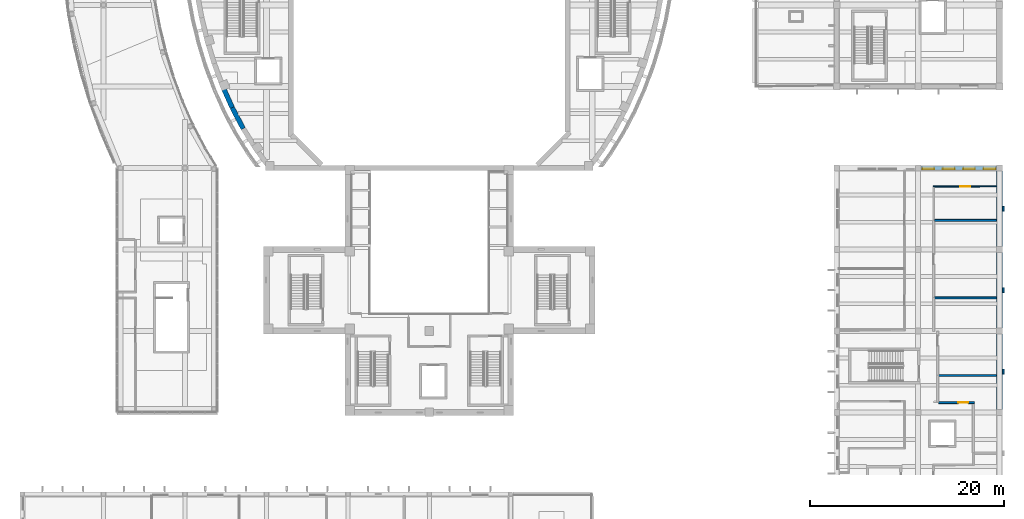
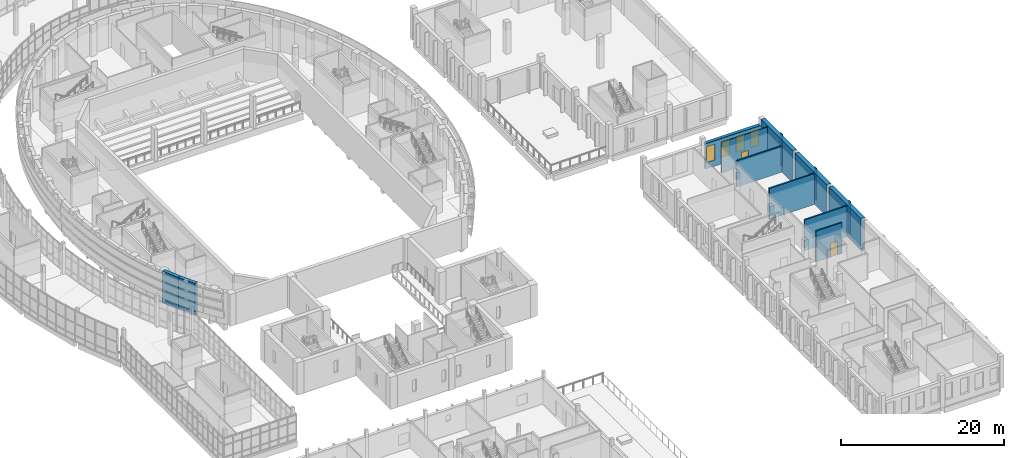
# One storey, part 58 of 103: 14 walls, 4 windows, 2 doors, 6 openings.
"""IFC4 building model written with IfcOpenShell, lengths in metres."""

from ifc_helpers import new_model, si_unit, direction, frame, frame_2d, origin, place, context, subcontext, project, spatial, rectangle, extrude, material, layer, layer_set, type_object, element, fill, save


model = new_model("IFC4")

# Units and contexts
model_context = context("Model", 3, precision=1e-05, world=origin(), true_north=direction((0.0, 1.0)))
body_context = subcontext(model_context, "Body", "Model", "MODEL_VIEW")
ifc_project = project(units=[si_unit("LENGTHUNIT", "METRE"), si_unit("AREAUNIT", "SQUARE_METRE"), si_unit("VOLUMEUNIT", "CUBIC_METRE"), si_unit("PLANEANGLEUNIT", "RADIAN"), si_unit("MASSUNIT", "GRAM", prefix="KILO")], contexts=[model_context])

# Site, building, storey
site_placement = place(None, origin())
site = spatial("IfcSite", under=ifc_project, at=site_placement, CompositionType="ELEMENT")
building_placement = place(site_placement, origin())
building = spatial("IfcBuilding", under=site, at=building_placement, Name="Larchfold Concert Hall", CompositionType="ELEMENT")
storey_placement = place(building_placement, frame((0.0, 0.0, 9.60009765625)))
storey = spatial("IfcBuildingStorey", under=building, at=storey_placement, Name="L02", CompositionType="ELEMENT", Elevation=9.60009765625)

# Wall, opening, door
ifc_material_1 = material(Name="Plasterboard partition on steel studs", Category="steel")
ifc_layer_1 = layer(ifc_material_1, 0.199951171875)
ifc_layer_set_1 = layer_set([ifc_layer_1], Name="Plasterboard partition on steel studs")
wall_type_1 = type_object("IfcWallType", Name="Acoustic partition 200", PredefinedType="PARTITIONING", material=ifc_layer_set_1)
wall_1_placement = place(storey_placement, frame((95.098876953125, 35.208740234375, 0.0), z_axis=(0.0, 0.0, 1.0), x_axis=(0.999996340969, -0.002705189363, 0.0)))
wall_1 = element("IfcWall", 1, at=wall_1_placement, inside=storey, type_object=wall_type_1, Name="Partition IW0039", PredefinedType="PARTITIONING", context=body_context, shape_type="SweptSolid", body=[
    extrude(rectangle(XDim=3.7001953125, YDim=0.199951171875, at=frame_2d((1.85009765625, 0.0))), origin(), (0.0, 0.0, 1.0), 4.639892578125),
])
opening_1_placement = place(wall_1_placement, frame((2.051025390625, 0.0, 0.0)))
opening_1 = element("IfcOpeningElement", 2, at=opening_1_placement, cuts=wall_1, Name="Opening D-L02-115", PredefinedType="OPENING", context=body_context, shape_type="SweptSolid", body=[
    extrude(rectangle(XDim=1.0, YDim=2.10009765625, at=frame_2d((0.5, 1.050048828125))), frame((0.0, 0.10986328125, 0.0), z_axis=(0.0, -1.0, 0.0), x_axis=(1.0, 0.0, 0.0)), (0.0, 0.0, 1.0), 0.219970703125),
])
ifc_material_2 = material(Name="Timber door leaf", Category="wood")
door_type_1 = type_object("IfcDoorType", Name="Practice and studio door, acoustic 1000 x 2100 FD30S", OperationType="SINGLE_SWING_LEFT", PredefinedType="DOOR", material=ifc_material_2)
door_1_placement = place(opening_1_placement, origin())
door_1 = element("IfcDoor", 3, at=door_1_placement, inside=storey, type_object=door_type_1, Name="Door D-L02-115", OperationType="SINGLE_SWING_RIGHT", OverallHeight=2.10009765625, OverallWidth=1.0, PredefinedType="DOOR", context=body_context, shape_type="SweptSolid", body=[
    extrude(rectangle(XDim=1.0, YDim=2.10009765625, at=frame_2d((0.5, 1.050048828125))), frame((0.0, 0.02490234375, 0.0), z_axis=(0.0, -1.0, 0.0), x_axis=(1.0, 0.0, 0.0)), (0.0, 0.0, 1.0), 0.050048828125),
])
fill(opening_1, door_1)

# Walls
wall_2_placement = place(storey_placement, frame((95.10009765625, 38.0, 0.0), z_axis=(0.0, 0.0, 1.0), x_axis=(1.0, 0.0, 0.0)))
element("IfcWall", 4, at=wall_2_placement, inside=storey, type_object=wall_type_1, Name="Partition IW0054", PredefinedType="PARTITIONING", context=body_context, shape_type="SweptSolid", body=[
    extrude(rectangle(XDim=6.0, YDim=0.199951171875, at=frame_2d((3.0, 0.0))), origin(), (0.0, 0.0, 1.0), 4.639892578125),
])
wall_3_placement = place(storey_placement, frame((94.699951171875, 46.0, 0.0), z_axis=(0.0, 0.0, 1.0), x_axis=(1.0, 0.0, 0.0)))
element("IfcWall", 5, at=wall_3_placement, inside=storey, type_object=wall_type_1, Name="Partition IW0055", PredefinedType="PARTITIONING", context=body_context, shape_type="SweptSolid", body=[
    extrude(rectangle(XDim=6.400146484375, YDim=0.199951171875, at=frame_2d((3.2001953125, 0.0))), origin(), (0.0, 0.0, 1.0), 4.639892578125),
])
wall_4_placement = place(storey_placement, frame((94.699951171875, 54.0, 0.0), z_axis=(0.0, 0.0, 1.0), x_axis=(1.0, 0.0, 0.0)))
element("IfcWall", 6, at=wall_4_placement, inside=storey, type_object=wall_type_1, Name="Partition IW0057", PredefinedType="PARTITIONING", context=body_context, shape_type="SweptSolid", body=[
    extrude(rectangle(XDim=6.400146484375, YDim=0.199951171875, at=frame_2d((3.2001953125, 0.0))), origin(), (0.0, 0.0, 1.0), 3.939697265625),
])

# Wall, opening, door
ifc_material_3 = material(Name="Plasterboard partition on steel studs", Category="steel")
ifc_layer_2 = layer(ifc_material_3, 0.125)
ifc_layer_set_2 = layer_set([ifc_layer_2], Name="Plasterboard partition on steel studs")
wall_type_2 = type_object("IfcWallType", Name="Corridor partition 125 EI 60", PredefinedType="PARTITIONING", material=ifc_layer_set_2)
wall_5_placement = place(storey_placement, frame((101.10009765625, 57.5, 0.0), z_axis=(0.0, 0.0, 1.0), x_axis=(-0.999999052642, -0.001376486791, 0.0)))
wall_5 = element("IfcWall", 7, at=wall_5_placement, inside=storey, type_object=wall_type_2, Name="Partition IW0047", PredefinedType="PARTITIONING", context=body_context, shape_type="SweptSolid", body=[
    extrude(rectangle(XDim=6.5625, YDim=0.125, at=frame_2d((3.28125, 0.0))), origin(), (0.0, 0.0, 1.0), 4.639892578125),
])
opening_2_placement = place(wall_5_placement, frame((2.739990234375, 0.0, 0.0)))
opening_2 = element("IfcOpeningElement", 8, at=opening_2_placement, cuts=wall_5, Name="Opening D-L02-120", PredefinedType="OPENING", context=body_context, shape_type="SweptSolid", body=[
    extrude(rectangle(XDim=1.0, YDim=2.10009765625, at=frame_2d((0.5, 1.050048828125))), frame((0.0, 0.072509765625, 0.0), z_axis=(0.0, -1.0, 0.0), x_axis=(1.0, 0.0, 0.0)), (0.0, 0.0, 1.0), 0.14501953125),
])
ifc_material_4 = material(Name="Timber door leaf", Category="wood")
door_type_2 = type_object("IfcDoorType", Name="Accessible WC door 1000 x 2100 FD30S", OperationType="SINGLE_SWING_LEFT", PredefinedType="DOOR", material=ifc_material_4)
door_2_placement = place(opening_2_placement, origin())
door_2 = element("IfcDoor", 9, at=door_2_placement, inside=storey, type_object=door_type_2, Name="Door D-L02-120", OperationType="SINGLE_SWING_RIGHT", OverallHeight=2.10009765625, OverallWidth=1.0, PredefinedType="DOOR", context=body_context, shape_type="SweptSolid", body=[
    extrude(rectangle(XDim=1.0, YDim=2.10009765625, at=frame_2d((0.5, 1.050048828125))), frame((0.0, 0.02490234375, 0.0), z_axis=(0.0, -1.0, 0.0), x_axis=(1.0, 0.0, 0.0)), (0.0, 0.0, 1.0), 0.050048828125),
])
fill(opening_2, door_2)

# Walls
ifc_material_5 = material(Name="Concrete C30/37", Category="concrete")
ifc_layer_3 = layer(ifc_material_5, 0.5)
ifc_layer_set_3 = layer_set([ifc_layer_3], Name="Concrete C30/37")
wall_type_3 = type_object("IfcWallType", Name="Wall RC 500 drum facade", PredefinedType="SOLIDWALL", material=ifc_layer_set_3)
wall_6_placement = place(storey_placement, frame((21.27587890625, 67.85888671875, 0.0), z_axis=(0.0, 0.0, 1.0), x_axis=(0.406767391574, -0.913531766909, 0.0)))
element("IfcWall", 10, at=wall_6_placement, inside=storey, type_object=wall_type_3, Name="Wall DW046", PredefinedType="SOLIDWALL", context=body_context, shape_type="SweptSolid", body=[
    extrude(rectangle(XDim=2.44873046875, YDim=0.5, at=frame_2d((1.224365234375, 0.0))), origin(), (0.0, 0.0, 1.0), 4.7998046875),
])
wall_7_placement = place(storey_placement, frame((22.27197265625, 65.621826171875, 0.0), z_axis=(0.0, 0.0, 1.0), x_axis=(0.466448872517, -0.884548161112, 0.0)))
element("IfcWall", 11, at=wall_7_placement, inside=storey, type_object=wall_type_3, Name="Wall DW047", PredefinedType="SOLIDWALL", context=body_context, shape_type="SweptSolid", body=[
    extrude(rectangle(XDim=2.448974609375, YDim=0.5, at=frame_2d((1.224609375, 0.0))), origin(), (0.0, 0.0, 1.0), 4.7998046875),
])
ifc_material_6 = material(Name="Concrete C40/50", Category="concrete")
ifc_layer_4 = layer(ifc_material_6, 0.60009765625)
ifc_layer_set_4 = layer_set([ifc_layer_4], Name="Concrete C40/50")
wall_type_4 = type_object("IfcWallType", Name="Wall RC 600 party wall", PredefinedType="SOLIDWALL", material=ifc_layer_set_4)
for number, where, z_axis, x_axis, name in (
    (12, (101.39990234375, 34.5, 0.0), (0.0, 0.0, 1.0), (0.0, 1.0, 0.0), "Wall W0024"),
    (13, (101.39990234375, 42.89990234375, 0.0), (0.0, 0.0, 1.0), (0.0, 1.0, 0.0), "Wall W0025"),
    (14, (101.39990234375, 51.300048828125, 0.0), (0.0, 0.0, 1.0), (0.0, 1.0, 0.0), "Wall W0026"),
):
    element("IfcWall", number, at=place(storey_placement, frame(where, z_axis=z_axis, x_axis=x_axis)), inside=storey, type_object=wall_type_4, Name=name, PredefinedType="SOLIDWALL", context=body_context, shape_type="SweptSolid", body=[
        extrude(rectangle(XDim=7.800048828125, YDim=0.60009765625, at=frame_2d((3.89990234375, 0.0))), origin(), (0.0, 0.0, 1.0), 4.7998046875),
    ])

# Wall, openings, windows
ifc_material_7 = material(Name="White render on mineral wool and block")
ifc_layer_5 = layer(ifc_material_7, 0.449951171875)
ifc_layer_set_5 = layer_set([ifc_layer_5], Name="White render on mineral wool and block")
wall_type_5 = type_object("IfcWallType", Name="White render infill wall 450", PredefinedType="SOLIDWALL", material=ifc_layer_set_5)
wall_8_placement = place(storey_placement, frame((101.099853515625, 59.39990234375, 0.0), z_axis=(0.0, 0.0, 1.0), x_axis=(-1.0, 0.0, 0.0)))
wall_8 = element("IfcWall", 15, at=wall_8_placement, inside=storey, type_object=wall_type_5, Name="Infill wall W5145", PredefinedType="SOLIDWALL", context=body_context, shape_type="SweptSolid", body=[
    extrude(rectangle(XDim=7.7998046875, YDim=0.449951171875, at=frame_2d((3.89990234375, 0.0))), origin(), (0.0, 0.0, 1.0), 3.840087890625),
])
opening_3_placement = place(wall_8_placement, frame((6.449951171875, 0.0, 0.89990234375)))
opening_3 = element("IfcOpeningElement", 16, at=opening_3_placement, cuts=wall_8, Name="Opening WN-L02-065", PredefinedType="OPENING", context=body_context, shape_type="SweptSolid", body=[
    extrude(rectangle(XDim=1.199951171875, YDim=2.39990234375, at=frame_2d((0.60009765625, 1.199951171875))), frame((0.0, 0.23486328125, 0.0), z_axis=(0.0, -1.0, 0.0), x_axis=(1.0, 0.0, 0.0)), (0.0, 0.0, 1.0), 0.469970703125),
])
opening_4_placement = place(wall_8_placement, frame((4.349853515625, 0.0, 0.89990234375)))
opening_4 = element("IfcOpeningElement", 17, at=opening_4_placement, cuts=wall_8, Name="Opening WN-L02-066", PredefinedType="OPENING", context=body_context, shape_type="SweptSolid", body=[
    extrude(rectangle(XDim=1.199951171875, YDim=2.39990234375, at=frame_2d((0.60009765625, 1.199951171875))), frame((0.0, 0.23486328125, 0.0), z_axis=(0.0, -1.0, 0.0), x_axis=(1.0, 0.0, 0.0)), (0.0, 0.0, 1.0), 0.469970703125),
])
opening_5_placement = place(wall_8_placement, frame((2.249755859375, 0.0, 0.89990234375)))
opening_5 = element("IfcOpeningElement", 18, at=opening_5_placement, cuts=wall_8, Name="Opening WN-L02-067", PredefinedType="OPENING", context=body_context, shape_type="SweptSolid", body=[
    extrude(rectangle(XDim=1.199951171875, YDim=2.39990234375, at=frame_2d((0.60009765625, 1.199951171875))), frame((0.0, 0.23486328125, 0.0), z_axis=(0.0, -1.0, 0.0), x_axis=(1.0, 0.0, 0.0)), (0.0, 0.0, 1.0), 0.469970703125),
])
opening_6_placement = place(wall_8_placement, frame((0.14990234375, 0.0, 0.89990234375)))
opening_6 = element("IfcOpeningElement", 19, at=opening_6_placement, cuts=wall_8, Name="Opening WN-L02-068", PredefinedType="OPENING", context=body_context, shape_type="SweptSolid", body=[
    extrude(rectangle(XDim=1.199951171875, YDim=2.39990234375, at=frame_2d((0.60009765625, 1.199951171875))), frame((0.0, 0.23486328125, 0.0), z_axis=(0.0, -1.0, 0.0), x_axis=(1.0, 0.0, 0.0)), (0.0, 0.0, 1.0), 0.469970703125),
])
ifc_material_8 = material(Name="Anodised graphite aluminium frame with glass", Category="aluminium")
window_type = type_object("IfcWindowType", Name="Slot window 1200x2400", PartitioningType="SINGLE_PANEL", PredefinedType="WINDOW", material=ifc_material_8)
window_1_placement = place(opening_3_placement, origin())
window_1 = element("IfcWindow", 20, at=window_1_placement, inside=storey, type_object=window_type, Name="Window WN-L02-065", OverallHeight=2.39990234375, OverallWidth=1.199951171875, PartitioningType="SINGLE_PANEL", PredefinedType="WINDOW", context=body_context, shape_type="SweptSolid", body=[
    extrude(rectangle(XDim=1.199951171875, YDim=2.39990234375, at=frame_2d((0.60009765625, 1.199951171875))), frame((0.0, 0.135009765625, 0.0), z_axis=(0.0, -1.0, 0.0), x_axis=(1.0, 0.0, 0.0)), (0.0, 0.0, 1.0), 0.06005859375),
])
fill(opening_3, window_1)
window_2_placement = place(opening_4_placement, origin())
window_2 = element("IfcWindow", 21, at=window_2_placement, inside=storey, type_object=window_type, Name="Window WN-L02-066", OverallHeight=2.39990234375, OverallWidth=1.199951171875, PartitioningType="SINGLE_PANEL", PredefinedType="WINDOW", context=body_context, shape_type="SweptSolid", body=[
    extrude(rectangle(XDim=1.199951171875, YDim=2.39990234375, at=frame_2d((0.60009765625, 1.199951171875))), frame((0.0, 0.135009765625, 0.0), z_axis=(0.0, -1.0, 0.0), x_axis=(1.0, 0.0, 0.0)), (0.0, 0.0, 1.0), 0.06005859375),
])
fill(opening_4, window_2)
window_3_placement = place(opening_5_placement, origin())
window_3 = element("IfcWindow", 22, at=window_3_placement, inside=storey, type_object=window_type, Name="Window WN-L02-067", OverallHeight=2.39990234375, OverallWidth=1.199951171875, PartitioningType="SINGLE_PANEL", PredefinedType="WINDOW", context=body_context, shape_type="SweptSolid", body=[
    extrude(rectangle(XDim=1.199951171875, YDim=2.39990234375, at=frame_2d((0.60009765625, 1.199951171875))), frame((0.0, 0.135009765625, 0.0), z_axis=(0.0, -1.0, 0.0), x_axis=(1.0, 0.0, 0.0)), (0.0, 0.0, 1.0), 0.06005859375),
])
fill(opening_5, window_3)
window_4_placement = place(opening_6_placement, origin())
window_4 = element("IfcWindow", 23, at=window_4_placement, inside=storey, type_object=window_type, Name="Window WN-L02-068", OverallHeight=2.39990234375, OverallWidth=1.199951171875, PartitioningType="SINGLE_PANEL", PredefinedType="WINDOW", context=body_context, shape_type="SweptSolid", body=[
    extrude(rectangle(XDim=1.199951171875, YDim=2.39990234375, at=frame_2d((0.60009765625, 1.199951171875))), frame((0.0, 0.135009765625, 0.0), z_axis=(0.0, -1.0, 0.0), x_axis=(1.0, 0.0, 0.0)), (0.0, 0.0, 1.0), 0.06005859375),
])
fill(opening_6, window_4)

# Walls
ifc_material_9 = material(Name="White render on insulated block")
ifc_layer_6 = layer(ifc_material_9, 0.14990234375)
ifc_layer_set_6 = layer_set([ifc_layer_6], Name="White render on insulated block")
wall_type_6 = type_object("IfcWallType", Name="White render pilaster 150", PredefinedType="SOLIDWALL", material=ifc_layer_set_6)
for number, where, z_axis, x_axis, name in (
    (24, (101.77490234375, 38.14990234375, 0.0), (0.0, 0.0, 1.0), (0.0, 1.0, 0.0), "Pilaster W5356"),
    (25, (101.77490234375, 46.550048828125, 0.0), (0.0, 0.0, 1.0), (0.0, 1.0, 0.0), "Pilaster W5357"),
    (26, (101.77490234375, 54.949951171875, 0.0), (0.0, 0.0, 1.0), (0.0, 1.0, 0.0), "Pilaster W5358"),
):
    element("IfcWall", number, at=place(storey_placement, frame(where, z_axis=z_axis, x_axis=x_axis)), inside=storey, type_object=wall_type_6, Name=name, PredefinedType="SOLIDWALL", context=body_context, shape_type="SweptSolid", body=[
        extrude(rectangle(XDim=0.5, YDim=0.14990234375, at=frame_2d((0.25, 0.0))), origin(), (0.0, 0.0, 1.0), 4.7998046875),
    ])

save(model, "model.ifc")
